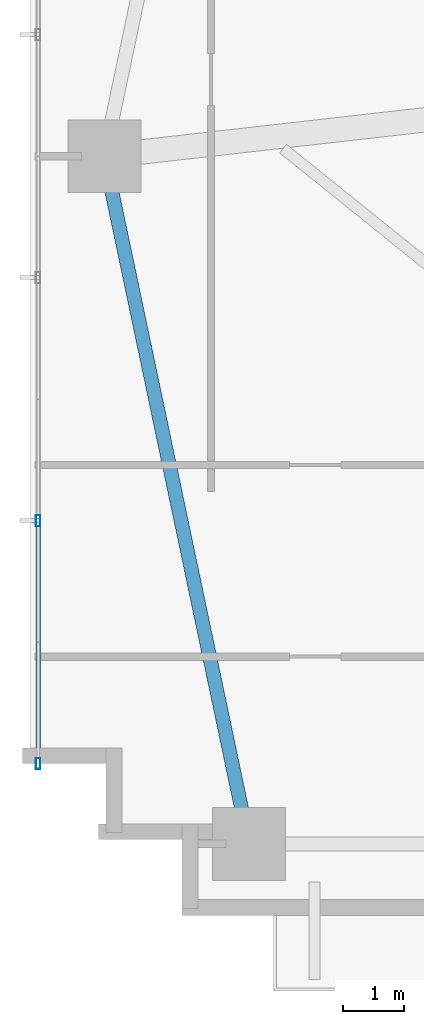
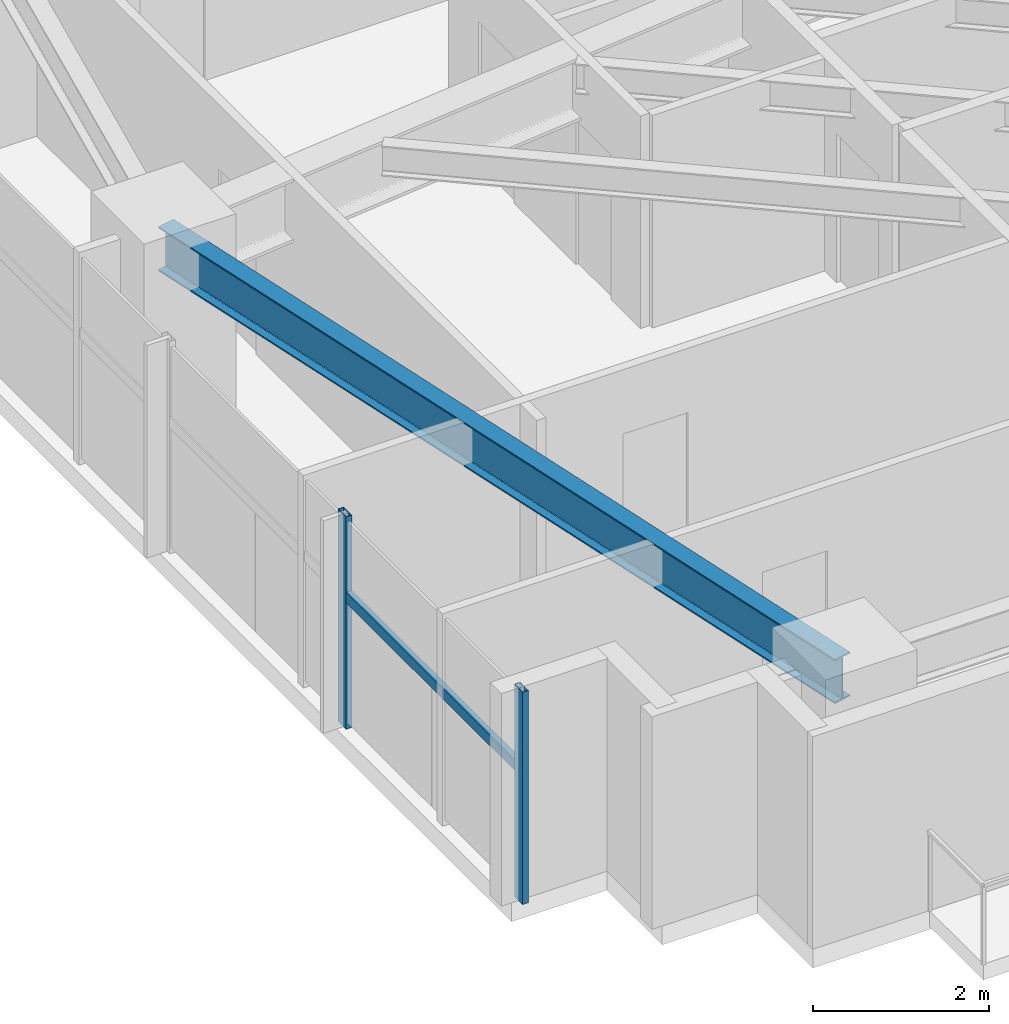
# One storey, part 2 of 25: 3 members, 1 beam, 1 element without a shape of its own.
"""IFC4 building model written with IfcOpenShell, lengths in metres."""

from ifc_helpers import new_model, si_unit, direction, frame, origin, origin_2d, place, context, subcontext, project, spatial, hollow_rectangle, i_section, extrude, source, transform, mapped, material, material_profile, profile_set, type_object, type_shapes, element, aggregate, save


model = new_model("IFC4")

# Units and contexts
model_context = context("Model", 3, precision=1e-05, world=origin(), true_north=direction((0.0, 1.0)))
body_context = subcontext(model_context, "Body", "Model", "MODEL_VIEW")
ifc_project = project(units=[si_unit("LENGTHUNIT", "METRE"), si_unit("AREAUNIT", "SQUARE_METRE"), si_unit("VOLUMEUNIT", "CUBIC_METRE"), si_unit("PLANEANGLEUNIT", "RADIAN"), si_unit("MASSUNIT", "GRAM", prefix="KILO")], contexts=[model_context])

# Site, building, storey
site_placement = place(None, origin())
site = spatial("IfcSite", under=ifc_project, at=site_placement, CompositionType="ELEMENT")
building_placement = place(site_placement, origin())
building = spatial("IfcBuilding", under=site, at=building_placement, Name="Astriad Promenade Condominiums", CompositionType="ELEMENT")
storey_placement = place(building_placement, frame((0.0, 0.0, 48.60009765625)))
storey = spatial("IfcBuildingStorey", under=building, at=storey_placement, Name="L13", CompositionType="ELEMENT", Elevation=48.60009765625)

# Beam
ifc_material_1 = material(Name="Steel ASTM A992 Grade 50", Category="steel")
ifc_material_profile_1 = material_profile(ifc_material_1, i_section(OverallWidth=0.22900390625, OverallDepth=0.612060546875, WebThickness=0.011962890625, FlangeThickness=0.01953125, FilletRadius=0.017822265625, at=origin_2d()), Name="W24X84")
ifc_profile_set_1 = profile_set([ifc_material_profile_1], Name="Steel ASTM A992 Grade 50")
beam_type = type_object("IfcBeamType", Name="STEEL SPANDREL BEAM W24X84", PredefinedType="SPANDREL", material=ifc_profile_set_1)
shared_shape_1 = source(origin(), body_context, "Body", "SweptSolid", [
    extrude(i_section(OverallWidth=0.22900390625, OverallDepth=0.612060546875, WebThickness=0.011962890625, FlangeThickness=0.01953125, FilletRadius=0.017822265625, at=origin_2d()), origin(), (0.0, 0.0, 1.0), 11.487548828125),
])
type_shapes(beam_type, [shared_shape_1])
beam_placement = place(storey_placement, frame((7.0283203125, 15.160888671875, 2.6337890625), z_axis=(0.205748055501, -0.978604995725, 0.0), x_axis=(0.978604995725, 0.205748055501, 0.0)))
element("IfcBeam", 1, at=beam_placement, inside=storey, type_object=beam_type, Name="Perimeter Spandrel Beam SP-W1-L13", PredefinedType="SPANDREL", context=body_context, shape_type="MappedRepresentation", body=[
    mapped(shared_shape_1, transform((0.0, 0.0, 0.0), scale=1.0)),
])

# Curtain wall, members
ifc_material_2 = material(Name="Anodised aluminium Black Dark Glass Unitised", Category="aluminium")
curtain_wall_type = type_object("IfcCurtainWallType", Name="CW-B1-DARK", PredefinedType="USERDEFINED", material=ifc_material_2)
curtain_wall_placement = place(storey_placement, origin())
curtain_wall = element("IfcCurtainWall", 2, at=curtain_wall_placement, inside=storey, type_object=curtain_wall_type, Name="CW-L13-W", ObjectType="UNITISED_CURTAIN_WALL", PredefinedType="USERDEFINED")
ifc_material_3 = material(Name="Anodised aluminium 6063-T6 Black", Category="aluminium")
ifc_material_profile_2 = material_profile(ifc_material_3, hollow_rectangle(XDim=0.074951171875, YDim=0.18505859375, WallThickness=0.00439453125, at=origin_2d()), Name="ALU-MUL-75X185")
ifc_profile_set_2 = profile_set([ifc_material_profile_2], Name="Anodised aluminium 6063-T6 Black")
member_type_1 = type_object("IfcMemberType", Name="MUL-ALU-MUL-75X185", PredefinedType="MULLION", material=ifc_profile_set_2)
shared_shape_2 = source(origin(), body_context, "Body", "SweptSolid", [
    extrude(hollow_rectangle(XDim=0.074951171875, YDim=0.18505859375, WallThickness=0.00439453125, at=origin_2d()), origin(), (0.0, 0.0, 1.0), 2.93994140625),
])
type_shapes(member_type_1, [shared_shape_2])
member_1_placement = place(storey_placement, frame((5.929931640625, 5.199951171875, 0.0), z_axis=(0.0, 0.0, 1.0), x_axis=(1.0, 0.0, 0.0)))
member_1 = element("IfcMember", 3, at=member_1_placement, type_object=member_type_1, Name="CW-L13-W-MUL-00", PredefinedType="MULLION", context=body_context, shape_type="MappedRepresentation", body=[
    mapped(shared_shape_2, transform((0.0, 0.0, 0.0), scale=1.0)),
])
member_2_placement = place(storey_placement, frame((5.929931640625, 9.199951171875, 0.0), z_axis=(0.0, 0.0, 1.0), x_axis=(1.0, 0.0, 0.0)))
member_2 = element("IfcMember", 4, at=member_2_placement, type_object=member_type_1, Name="CW-L13-W-MUL-01", PredefinedType="MULLION", context=body_context, shape_type="MappedRepresentation", body=[
    mapped(shared_shape_2, transform((0.0, 0.0, 0.0), scale=1.0)),
])
ifc_material_profile_3 = material_profile(ifc_material_3, hollow_rectangle(XDim=0.074951171875, YDim=0.14990234375, WallThickness=0.004150390625, at=origin_2d()), Name="ALU-TRN-75X150")
ifc_profile_set_3 = profile_set([ifc_material_profile_3], Name="Anodised aluminium 6063-T6 Black")
member_type_2 = type_object("IfcMemberType", Name="TRN-ALU-TRN-75X150", PredefinedType="USERDEFINED", material=ifc_profile_set_3)
shared_shape_3 = source(origin(), body_context, "Body", "SweptSolid", [
    extrude(hollow_rectangle(XDim=0.074951171875, YDim=0.14990234375, WallThickness=0.004150390625, at=origin_2d()), origin(), (0.0, 0.0, 1.0), 4.0),
])
type_shapes(member_type_2, [shared_shape_3])
member_3_placement = place(storey_placement, frame((5.929931640625, 5.199951171875, 1.82275390625), z_axis=(0.0, 1.0, 0.0), x_axis=(-1.0, 0.0, 0.0)))
member_3 = element("IfcMember", 5, at=member_3_placement, type_object=member_type_2, Name="CW-L13-W-TRN-00-0", ObjectType="TRANSOM", PredefinedType="USERDEFINED", context=body_context, shape_type="MappedRepresentation", body=[
    mapped(shared_shape_3, transform((0.0, 0.0, 0.0), scale=1.0)),
])
aggregate(curtain_wall, [member_1, member_2, member_3])

save(model, "model.ifc")
